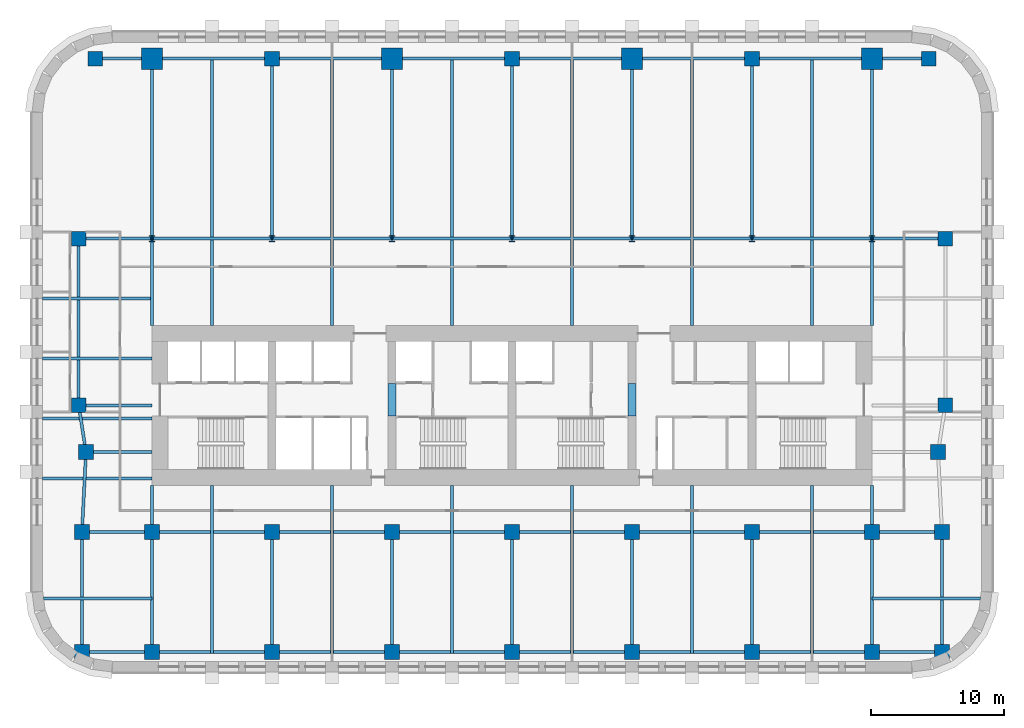
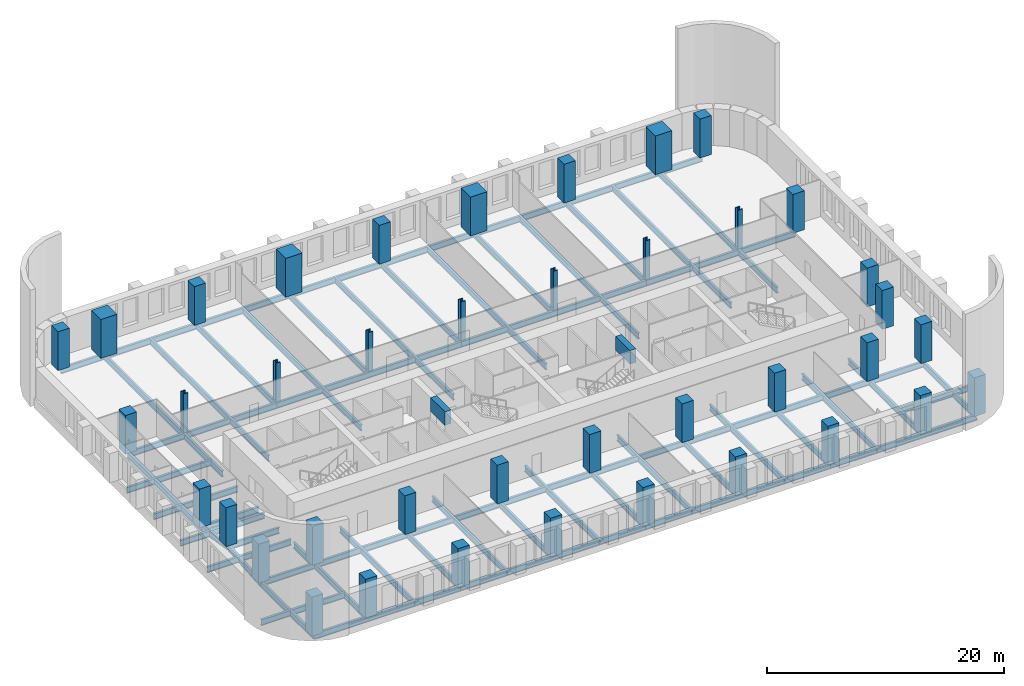
# One storey, part 1 of 11: 59 beams, 40 columns.
"""IFC4 building model written with IfcOpenShell, lengths in metres."""

import ifcopenshell
import ifcopenshell.guid

model = None  # the IFC model being written
_history = None  # IfcOwnerHistory: only IFC2X3 demands one
_inside = {}  # id of a spatial element -> (the spatial element, [elements in it])
_under = {}  # id of a project, library or spatial element -> (it, [spatial elements below it])
_declared = {}  # id of a project -> (the project, [libraries it declares])
_typed = {}  # id of a type object -> (the type object, [elements of that type])
_made_of = {}  # id of a material, layer set ... -> (it, [elements and type objects made of it])


def new_model(schema):
    """Start an empty IFC model of exactly this schema.

    Asked for "IFC4X3", IfcOpenShell would pick the latest addendum, in which some entities
    have other attributes; the version numbers below select the first issue.
    IFC2X3 requires an IfcOwnerHistory on every rooted entity: one is made here for all.
    """
    global model, _history
    if schema == "IFC4X3":
        model = ifcopenshell.file(schema_version=(4, 3, 0, 0))
    else:
        model = ifcopenshell.file(schema=schema)
    _inside.clear()
    _under.clear()
    _declared.clear()
    _typed.clear()
    _made_of.clear()
    _history = None
    if model.schema == "IFC2X3":
        org = make("IfcOrganization", Name="unknown")
        user = make(
            "IfcPersonAndOrganization",
            ThePerson=make("IfcPerson", FamilyName="unknown"),
            TheOrganization=org,
        )
        app = make(
            "IfcApplication",
            ApplicationDeveloper=org,
            Version="unknown",
            ApplicationFullName="unknown",
            ApplicationIdentifier="unknown",
        )
        _history = make(
            "IfcOwnerHistory",
            OwningUser=user,
            OwningApplication=app,
            ChangeAction="ADDED",
            CreationDate=0,
        )
    return model


def make(cls, **values):
    """One entity of the class cls with the attributes given. An attribute that is None is left unset."""
    return model.create_entity(
        cls, **{name: value for name, value in values.items() if value is not None}
    )


def rooted(cls, **values):
    """An entity with a GlobalId (a new one), such as an element, a storey or a relation."""
    return make(cls, GlobalId=ifcopenshell.guid.new(), OwnerHistory=_history, **values)


def si_unit(unit_type, name, prefix=None):
    """IfcSIUnit, for example si_unit("LENGTHUNIT", "METRE", prefix="MILLI")."""
    return make("IfcSIUnit", UnitType=unit_type, Prefix=prefix, Name=name)


def assignment(units):
    """IfcUnitAssignment: the units of a project."""
    return None if units is None else make("IfcUnitAssignment", Units=units)


def point(xyz):
    """IfcCartesianPoint."""
    return None if xyz is None else make("IfcCartesianPoint", Coordinates=xyz)


def direction(xyz):
    """IfcDirection."""
    return None if xyz is None else make("IfcDirection", DirectionRatios=xyz)


def frame(location, z_axis=None, x_axis=None):
    """IfcAxis2Placement3D, a coordinate frame: its origin and axes. An axis left out is left unset."""
    return make(
        "IfcAxis2Placement3D",
        Location=point(location),
        Axis=direction(z_axis),
        RefDirection=direction(x_axis),
    )


def frame_2d(location, x_axis=None):
    """IfcAxis2Placement2D, a coordinate frame in the plane: its origin and x axis."""
    return make(
        "IfcAxis2Placement2D", Location=point(location), RefDirection=direction(x_axis)
    )


def origin():
    """The frame at (0, 0, 0) with its axes left unset."""
    return frame((0.0, 0.0, 0.0))


def origin_2d():
    """The frame at (0, 0) in the plane with its x axis left unset."""
    return frame_2d((0.0, 0.0))


def place(relative_to, where):
    """IfcLocalPlacement: puts the frame where relative to a parent placement (None: the world)."""
    return make(
        "IfcLocalPlacement", PlacementRelTo=relative_to, RelativePlacement=where
    )


def context(
    kind, dimensions, precision=None, world=None, true_north=None, identifier=None
):
    """IfcGeometricRepresentationContext, for example the 3D "Model" context."""
    return make(
        "IfcGeometricRepresentationContext",
        ContextIdentifier=identifier,
        ContextType=kind,
        CoordinateSpaceDimension=dimensions,
        Precision=precision,
        WorldCoordinateSystem=world,
        TrueNorth=true_north,
    )


def subcontext(parent, identifier, kind, view, scale=None):
    """IfcGeometricRepresentationSubContext, for example "Body" below "Model"."""
    return make(
        "IfcGeometricRepresentationSubContext",
        ContextIdentifier=identifier,
        ContextType=kind,
        ParentContext=parent,
        TargetScale=scale,
        TargetView=view,
    )


def project(units=None, contexts=None):
    """IfcProject with its units and contexts."""
    return rooted(
        "IfcProject",
        Name="project",
        RepresentationContexts=contexts,
        UnitsInContext=assignment(units),
    )


def spatial(cls, under=None, at=None, **own):
    """A site, building, storey or space (cls), placed at a placement, below another one or the project."""
    s = rooted(cls, ObjectPlacement=at, **own)
    if under is not None:
        _under.setdefault(under.id(), (under, []))[1].append(s)
    return s


def profile(cls, at=None, kind="AREA", **sizes):
    """A parametric profile (cls). Its sizes go by their IFC names, for example OverallWidth=200.0."""
    return make(cls, ProfileType=kind, Position=at, **sizes)


def rectangle(**sizes):
    """IfcRectangleProfileDef."""
    return profile("IfcRectangleProfileDef", **sizes)


def i_section(**sizes):
    """IfcIShapeProfileDef."""
    return profile("IfcIShapeProfileDef", **sizes)


def extrude(swept, where, along, depth):
    """IfcExtrudedAreaSolid: the profile swept, set in the frame where, extruded along a direction by depth."""
    return make(
        "IfcExtrudedAreaSolid",
        SweptArea=swept,
        Position=where,
        ExtrudedDirection=direction(along),
        Depth=depth,
    )


def shape(context_of_items, identifier, shape_type, items):
    """IfcShapeRepresentation: the items that make up one representation, for example the "Body"."""
    return make(
        "IfcShapeRepresentation",
        ContextOfItems=context_of_items,
        RepresentationIdentifier=identifier,
        RepresentationType=shape_type,
        Items=items,
    )


def material(Name=None, Category=None):
    """IfcMaterial."""
    return make("IfcMaterial", Name=Name, Category=Category)


def material_profile(
    of_material, cross_section, Name=None, Category=None, Priority=None
):
    """IfcMaterialProfile: a cross section and its material."""
    return make(
        "IfcMaterialProfile",
        Name=Name,
        Material=of_material,
        Profile=cross_section,
        Priority=Priority,
        Category=Category,
    )


def profile_set(profiles, Name=None, composite=None):
    """IfcMaterialProfileSet."""
    return make(
        "IfcMaterialProfileSet",
        Name=Name,
        MaterialProfiles=profiles,
        CompositeProfile=composite,
    )


def made_of(thing, what):
    """Note that an element or type object is made of a material, layer set ...; save() writes the relation."""
    if what is not None:
        _made_of.setdefault(what.id(), (what, []))[1].append(thing)
    return thing


def type_object(cls, material=None, **own):
    """A type object (cls), such as IfcWallType, which elements share."""
    return made_of(rooted(cls, **own), material)


def element(
    cls,
    number,
    at=None,
    inside=None,
    cuts=None,
    type_object=None,
    material=None,
    context=None,
    identifier="Body",
    shape_type=None,
    held_by="IfcProductDefinitionShape",
    body=None,
    shapes=None,
    **own,
):
    """One element of the class cls, such as IfcWall. Its Tag is "e" and its number.

    at: its placement. inside: the storey or other place that contains it. cuts: it is an
    opening in that element (IfcRelVoidsElement). A single representation is given by context,
    identifier, shape_type and body (its items); several are given by shapes. held_by: the class
    of the entity that holds the representations. save() writes the other relations.
    """
    e = rooted(cls, Tag="e%d" % number, ObjectPlacement=at, **own)
    if body is not None:
        shapes = [shape(context, identifier, shape_type, body)]
    if shapes is not None:
        e.Representation = make(held_by, Representations=shapes)
    if inside is not None:
        _inside.setdefault(inside.id(), (inside, []))[1].append(e)
    if cuts is not None:
        rooted(
            "IfcRelVoidsElement", RelatingBuildingElement=cuts, RelatedOpeningElement=e
        )
    if type_object is not None:
        _typed.setdefault(type_object.id(), (type_object, []))[1].append(e)
    return made_of(e, material)


def aggregate(whole, parts):
    """IfcRelAggregates: a whole, such as a stair, and the parts it consists of."""
    return rooted("IfcRelAggregates", RelatingObject=whole, RelatedObjects=parts)


def save(model, path):
    """Write the relations noted so far, then the file.

    IfcRelAggregates (storeys below a building ...), IfcRelContainedInSpatialStructure (elements
    in a storey), IfcRelDefinesByType, IfcRelAssociatesMaterial and IfcRelDeclares: one each for
    every whole, place, type object, material and project.
    """
    for whole, parts in _under.values():
        aggregate(whole, parts)
    for where, things in _inside.values():
        rooted(
            "IfcRelContainedInSpatialStructure",
            RelatedElements=things,
            RelatingStructure=where,
        )
    for kind, things in _typed.values():
        rooted("IfcRelDefinesByType", RelatedObjects=things, RelatingType=kind)
    for what, things in _made_of.values():
        rooted("IfcRelAssociatesMaterial", RelatedObjects=things, RelatingMaterial=what)
    for by, libraries in _declared.values():
        rooted("IfcRelDeclares", RelatingContext=by, RelatedDefinitions=libraries)
    model.write(path)


model = new_model("IFC4")

# Units and contexts
model_context = context("Model", 3, precision=1e-05, world=origin(), true_north=direction((0.0, 1.0)))
body_context = subcontext(model_context, "Body", "Model", "MODEL_VIEW")
ifc_project = project(units=[si_unit("LENGTHUNIT", "METRE"), si_unit("AREAUNIT", "SQUARE_METRE"), si_unit("VOLUMEUNIT", "CUBIC_METRE"), si_unit("PLANEANGLEUNIT", "RADIAN"), si_unit("MASSUNIT", "GRAM", prefix="KILO")], contexts=[model_context])

# Site, building, storey
site_placement = place(None, origin())
site = spatial("IfcSite", under=ifc_project, at=site_placement, CompositionType="ELEMENT")
building_placement = place(site_placement, origin())
building = spatial("IfcBuilding", under=site, at=building_placement, Name="Zellij Exchange Tower", CompositionType="ELEMENT")
storey_placement = place(building_placement, frame((0.0, 0.0, 64.5)))
storey = spatial("IfcBuildingStorey", under=building, at=storey_placement, Name="L12", CompositionType="ELEMENT", Elevation=64.5)

# Columns
ifc_material_1 = material(Name="Concrete C70/85", Category="concrete")
ifc_material_profile_1 = material_profile(ifc_material_1, rectangle(XDim=1.10009765625, YDim=1.10009765625, at=origin_2d()), Name="STR-COLUMN RC1100x1100 C70/85")
ifc_profile_set_1 = profile_set([ifc_material_profile_1], Name="Concrete C70/85")
column_type_1 = type_object("IfcColumnType", Name="STR-COLUMN RC1100x1100 C70/85", PredefinedType="COLUMN", material=ifc_profile_set_1)
for number, where, z_axis, x_axis, name in (
    (1, (-32.25, -26.5, 0.0), (0.0, 0.0, 1.0), (1.0, 0.0, 0.0), "C11"),
    (2, (-27.0, -26.5, 0.0), (0.0, 0.0, 1.0), (1.0, 0.0, 0.0), "C11"),
    (3, (-18.0, -26.5, 0.0), (0.0, 0.0, 1.0), (1.0, 0.0, 0.0), "C11"),
    (4, (-9.0, -26.5, 0.0), (0.0, 0.0, 1.0), (1.0, 0.0, 0.0), "C11"),
    (5, (0.0, -26.5, 0.0), (0.0, 0.0, 1.0), (1.0, 0.0, 0.0), "C11"),
    (6, (9.0, -26.5, 0.0), (0.0, 0.0, 1.0), (1.0, 0.0, 0.0), "C11"),
    (7, (18.0, -26.5, 0.0), (0.0, 0.0, 1.0), (1.0, 0.0, 0.0), "C11"),
    (8, (27.0, -26.5, 0.0), (0.0, 0.0, 1.0), (1.0, 0.0, 0.0), "C11"),
    (9, (32.25, -26.5, 0.0), (0.0, 0.0, 1.0), (1.0, 0.0, 0.0), "C11"),
    (10, (-32.25, -17.5, 0.0), (0.0, 0.0, 1.0), (1.0, 0.0, 0.0), "C11"),
    (11, (-27.0, -17.5, 0.0), (0.0, 0.0, 1.0), (1.0, 0.0, 0.0), "C11"),
    (12, (-18.0, -17.5, 0.0), (0.0, 0.0, 1.0), (1.0, 0.0, 0.0), "C11"),
    (13, (-9.0, -17.5, 0.0), (0.0, 0.0, 1.0), (1.0, 0.0, 0.0), "C11"),
    (14, (0.0, -17.5, 0.0), (0.0, 0.0, 1.0), (1.0, 0.0, 0.0), "C11"),
    (15, (9.0, -17.5, 0.0), (0.0, 0.0, 1.0), (1.0, 0.0, 0.0), "C11"),
    (16, (18.0, -17.5, 0.0), (0.0, 0.0, 1.0), (1.0, 0.0, 0.0), "C11"),
    (17, (27.0, -17.5, 0.0), (0.0, 0.0, 1.0), (1.0, 0.0, 0.0), "C11"),
    (18, (32.25, -17.5, 0.0), (0.0, 0.0, 1.0), (1.0, 0.0, 0.0), "C11"),
    (19, (-31.949951171875, -11.5, 0.0), (0.0, 0.0, 1.0), (1.0, 0.0, 0.0), "C11"),
    (20, (31.949951171875, -11.5, 0.0), (0.0, 0.0, 1.0), (1.0, 0.0, 0.0), "C11"),
    (21, (-32.5, -8.0, 0.0), (0.0, 0.0, 1.0), (1.0, 0.0, 0.0), "C11"),
    (22, (32.5, -8.0, 0.0), (0.0, 0.0, 1.0), (1.0, 0.0, 0.0), "C11"),
    (23, (-32.5, 4.5, 0.0), (0.0, 0.0, 1.0), (1.0, 0.0, 0.0), "C11"),
    (24, (32.5, 4.5, 0.0), (0.0, 0.0, 1.0), (1.0, 0.0, 0.0), "C11"),
    (25, (-31.25, 18.0, 0.0), (0.0, 0.0, 1.0), (1.0, 0.0, 0.0), "C11"),
    (26, (-18.0, 18.0, 0.0), (0.0, 0.0, 1.0), (1.0, 0.0, 0.0), "C11"),
    (27, (0.0, 18.0, 0.0), (0.0, 0.0, 1.0), (1.0, 0.0, 0.0), "C11"),
    (28, (18.0, 18.0, 0.0), (0.0, 0.0, 1.0), (1.0, 0.0, 0.0), "C11"),
    (29, (31.25, 18.0, 0.0), (0.0, 0.0, 1.0), (1.0, 0.0, 0.0), "C11"),
):
    element("IfcColumn", number, at=place(storey_placement, frame(where, z_axis=z_axis, x_axis=x_axis)), inside=storey, type_object=column_type_1, Name=name, PredefinedType="COLUMN", context=body_context, shape_type="SweptSolid", body=[
        extrude(rectangle(XDim=1.10009765625, YDim=1.10009765625, at=origin_2d()), origin(), (0.0, 0.0, 1.0), 4.0),
    ])
ifc_material_2 = material(Name="Structural steel ASTM A913 Gr 65", Category="steel")
ifc_material_profile_2 = material_profile(ifc_material_2, i_section(OverallWidth=0.431884765625, OverallDepth=0.497802734375, WebThickness=0.0556640625, FlangeThickness=0.0888671875, at=origin_2d()), Name="W14x500")
ifc_profile_set_2 = profile_set([ifc_material_profile_2], Name="Structural steel ASTM A913 Gr 65")
column_type_2 = type_object("IfcColumnType", Name="STR-COLUMN W14x500", PredefinedType="COLUMN", material=ifc_profile_set_2)
for number, where, z_axis, x_axis, name in (
    (30, (-27.0, 4.5, 0.0), (0.0, 0.0, 1.0), (1.0, 0.0, 0.0), "C5"),
    (31, (-18.0, 4.5, 0.0), (0.0, 0.0, 1.0), (1.0, 0.0, 0.0), "C5"),
    (32, (-9.0, 4.5, 0.0), (0.0, 0.0, 1.0), (1.0, 0.0, 0.0), "C5"),
    (33, (0.0, 4.5, 0.0), (0.0, 0.0, 1.0), (1.0, 0.0, 0.0), "C5"),
    (34, (9.0, 4.5, 0.0), (0.0, 0.0, 1.0), (1.0, 0.0, 0.0), "C5"),
    (35, (18.0, 4.5, 0.0), (0.0, 0.0, 1.0), (1.0, 0.0, 0.0), "C5"),
    (36, (27.0, 4.5, 0.0), (0.0, 0.0, 1.0), (1.0, 0.0, 0.0), "C5"),
):
    element("IfcColumn", number, at=place(storey_placement, frame(where, z_axis=z_axis, x_axis=x_axis)), inside=storey, type_object=column_type_2, Name=name, PredefinedType="COLUMN", context=body_context, shape_type="SweptSolid", body=[
        extrude(i_section(OverallWidth=0.431884765625, OverallDepth=0.497802734375, WebThickness=0.0556640625, FlangeThickness=0.0888671875, at=origin_2d()), origin(), (0.0, 0.0, 1.0), 4.0),
    ])
ifc_material_profile_3 = material_profile(ifc_material_1, rectangle(XDim=1.60009765625, YDim=1.60009765625, at=origin_2d()), Name="STR-MEGA COLUMN RC1600x1600 C70/85")
ifc_profile_set_3 = profile_set([ifc_material_profile_3], Name="Concrete C70/85")
column_type_3 = type_object("IfcColumnType", Name="STR-MEGA COLUMN RC1600x1600 C70/85", PredefinedType="COLUMN", material=ifc_profile_set_3)
for number, where, z_axis, x_axis, name in (
    (37, (-27.0, 18.0, 0.0), (0.0, 0.0, 1.0), (1.0, 0.0, 0.0), "MC6"),
    (38, (-9.0, 18.0, 0.0), (0.0, 0.0, 1.0), (1.0, 0.0, 0.0), "MC6"),
    (39, (9.0, 18.0, 0.0), (0.0, 0.0, 1.0), (1.0, 0.0, 0.0), "MC6"),
    (40, (27.0, 18.0, 0.0), (0.0, 0.0, 1.0), (1.0, 0.0, 0.0), "MC6"),
):
    element("IfcColumn", number, at=place(storey_placement, frame(where, z_axis=z_axis, x_axis=x_axis)), inside=storey, type_object=column_type_3, Name=name, PredefinedType="COLUMN", context=body_context, shape_type="SweptSolid", body=[
        extrude(rectangle(XDim=1.60009765625, YDim=1.60009765625, at=origin_2d()), origin(), (0.0, 0.0, 1.0), 4.0),
    ])

# Beams
ifc_material_profile_4 = material_profile(ifc_material_1, rectangle(XDim=0.60009765625, YDim=1.39990234375, at=origin_2d()), Name="CORE-CB 600x1400 C70/85")
ifc_profile_set_4 = profile_set([ifc_material_profile_4], Name="Concrete C70/85")
beam_type_1 = type_object("IfcBeamType", Name="CORE-CB 600x1400 C70/85", PredefinedType="BEAM", material=ifc_profile_set_4)
for number, where, z_axis, x_axis, name in (
    (41, (-9.0, -8.800048828125, 3.10009765625), (0.0, 1.0, 0.0), (-1.0, 0.0, 0.0), "Core coupling beam x -9 L12"),
    (42, (9.0, -8.800048828125, 3.10009765625), (0.0, 1.0, 0.0), (-1.0, 0.0, 0.0), "Core coupling beam x 9 L12"),
):
    element("IfcBeam", number, at=place(storey_placement, frame(where, z_axis=z_axis, x_axis=x_axis)), inside=storey, type_object=beam_type_1, Name=name, PredefinedType="BEAM", context=body_context, shape_type="SweptSolid", body=[
        extrude(rectangle(XDim=0.60009765625, YDim=1.39990234375, at=origin_2d()), origin(), (0.0, 0.0, 1.0), 2.425048828125),
    ])
ifc_material_3 = material(Name="Structural steel ASTM A992 Gr 50", Category="steel")
ifc_material_profile_5 = material_profile(ifc_material_3, i_section(OverallWidth=0.227783203125, OverallDepth=0.60205078125, WebThickness=0.010498046875, FlangeThickness=0.014892578125, at=origin_2d()), Name="W24x68")
ifc_profile_set_5 = profile_set([ifc_material_profile_5], Name="Structural steel ASTM A992 Gr 50")
beam_type_2 = type_object("IfcBeamType", Name="STR-BEAM W24x68", PredefinedType="BEAM", material=ifc_profile_set_5)
beam_1_placement = place(storey_placement, frame((-22.5, -26.614501953125, -0.5009765625), z_axis=(0.0, 1.0, 0.0), x_axis=(-1.0, 0.0, 0.0)))
element("IfcBeam", 43, at=beam_1_placement, inside=storey, type_object=beam_type_2, Name="B5", PredefinedType="BEAM", context=body_context, shape_type="SweptSolid", body=[
    extrude(i_section(OverallWidth=0.227783203125, OverallDepth=0.60205078125, WebThickness=0.010498046875, FlangeThickness=0.014892578125, at=origin_2d()), origin(), (0.0, 0.0, 1.0), 12.614501953125),
])
beam_2_placement = place(storey_placement, frame((-22.5, -2.0, -0.5009765625), z_axis=(0.0, 1.0, 0.0), x_axis=(-1.0, 0.0, 0.0)))
element("IfcBeam", 44, at=beam_2_placement, inside=storey, type_object=beam_type_2, Name="B5", PredefinedType="BEAM", context=body_context, shape_type="SweptSolid", body=[
    extrude(i_section(OverallWidth=0.227783203125, OverallDepth=0.60205078125, WebThickness=0.010498046875, FlangeThickness=0.014892578125, at=origin_2d()), origin(), (0.0, 0.0, 1.0), 20.114501953125),
])
beam_3_placement = place(storey_placement, frame((-13.5, -26.614501953125, -0.5009765625), z_axis=(0.0, 1.0, 0.0), x_axis=(-1.0, 0.0, 0.0)))
element("IfcBeam", 45, at=beam_3_placement, inside=storey, type_object=beam_type_2, Name="B5", PredefinedType="BEAM", context=body_context, shape_type="SweptSolid", body=[
    extrude(i_section(OverallWidth=0.227783203125, OverallDepth=0.60205078125, WebThickness=0.010498046875, FlangeThickness=0.014892578125, at=origin_2d()), origin(), (0.0, 0.0, 1.0), 12.614501953125),
])
beam_4_placement = place(storey_placement, frame((-13.5, -2.0, -0.5009765625), z_axis=(0.0, 1.0, 0.0), x_axis=(-1.0, 0.0, 0.0)))
element("IfcBeam", 46, at=beam_4_placement, inside=storey, type_object=beam_type_2, Name="B5", PredefinedType="BEAM", context=body_context, shape_type="SweptSolid", body=[
    extrude(i_section(OverallWidth=0.227783203125, OverallDepth=0.60205078125, WebThickness=0.010498046875, FlangeThickness=0.014892578125, at=origin_2d()), origin(), (0.0, 0.0, 1.0), 20.114501953125),
])
beam_5_placement = place(storey_placement, frame((-4.5, -26.614501953125, -0.5009765625), z_axis=(0.0, 1.0, 0.0), x_axis=(-1.0, 0.0, 0.0)))
element("IfcBeam", 47, at=beam_5_placement, inside=storey, type_object=beam_type_2, Name="B5", PredefinedType="BEAM", context=body_context, shape_type="SweptSolid", body=[
    extrude(i_section(OverallWidth=0.227783203125, OverallDepth=0.60205078125, WebThickness=0.010498046875, FlangeThickness=0.014892578125, at=origin_2d()), origin(), (0.0, 0.0, 1.0), 12.614501953125),
])
beam_6_placement = place(storey_placement, frame((-4.5, -2.0, -0.5009765625), z_axis=(0.0, 1.0, 0.0), x_axis=(-1.0, 0.0, 0.0)))
element("IfcBeam", 48, at=beam_6_placement, inside=storey, type_object=beam_type_2, Name="B5", PredefinedType="BEAM", context=body_context, shape_type="SweptSolid", body=[
    extrude(i_section(OverallWidth=0.227783203125, OverallDepth=0.60205078125, WebThickness=0.010498046875, FlangeThickness=0.014892578125, at=origin_2d()), origin(), (0.0, 0.0, 1.0), 20.114501953125),
])
beam_7_placement = place(storey_placement, frame((4.5, -26.614501953125, -0.5009765625), z_axis=(0.0, 1.0, 0.0), x_axis=(-1.0, 0.0, 0.0)))
element("IfcBeam", 49, at=beam_7_placement, inside=storey, type_object=beam_type_2, Name="B5", PredefinedType="BEAM", context=body_context, shape_type="SweptSolid", body=[
    extrude(i_section(OverallWidth=0.227783203125, OverallDepth=0.60205078125, WebThickness=0.010498046875, FlangeThickness=0.014892578125, at=origin_2d()), origin(), (0.0, 0.0, 1.0), 12.614501953125),
])
beam_8_placement = place(storey_placement, frame((4.5, -2.0, -0.5009765625), z_axis=(0.0, 1.0, 0.0), x_axis=(-1.0, 0.0, 0.0)))
element("IfcBeam", 50, at=beam_8_placement, inside=storey, type_object=beam_type_2, Name="B5", PredefinedType="BEAM", context=body_context, shape_type="SweptSolid", body=[
    extrude(i_section(OverallWidth=0.227783203125, OverallDepth=0.60205078125, WebThickness=0.010498046875, FlangeThickness=0.014892578125, at=origin_2d()), origin(), (0.0, 0.0, 1.0), 20.114501953125),
])
beam_9_placement = place(storey_placement, frame((13.5, -26.614501953125, -0.5009765625), z_axis=(0.0, 1.0, 0.0), x_axis=(-1.0, 0.0, 0.0)))
element("IfcBeam", 51, at=beam_9_placement, inside=storey, type_object=beam_type_2, Name="B5", PredefinedType="BEAM", context=body_context, shape_type="SweptSolid", body=[
    extrude(i_section(OverallWidth=0.227783203125, OverallDepth=0.60205078125, WebThickness=0.010498046875, FlangeThickness=0.014892578125, at=origin_2d()), origin(), (0.0, 0.0, 1.0), 12.614501953125),
])
beam_10_placement = place(storey_placement, frame((13.5, -2.0, -0.5009765625), z_axis=(0.0, 1.0, 0.0), x_axis=(-1.0, 0.0, 0.0)))
element("IfcBeam", 52, at=beam_10_placement, inside=storey, type_object=beam_type_2, Name="B5", PredefinedType="BEAM", context=body_context, shape_type="SweptSolid", body=[
    extrude(i_section(OverallWidth=0.227783203125, OverallDepth=0.60205078125, WebThickness=0.010498046875, FlangeThickness=0.014892578125, at=origin_2d()), origin(), (0.0, 0.0, 1.0), 20.114501953125),
])
beam_11_placement = place(storey_placement, frame((22.5, -26.614501953125, -0.5009765625), z_axis=(0.0, 1.0, 0.0), x_axis=(-1.0, 0.0, 0.0)))
element("IfcBeam", 53, at=beam_11_placement, inside=storey, type_object=beam_type_2, Name="B5", PredefinedType="BEAM", context=body_context, shape_type="SweptSolid", body=[
    extrude(i_section(OverallWidth=0.227783203125, OverallDepth=0.60205078125, WebThickness=0.010498046875, FlangeThickness=0.014892578125, at=origin_2d()), origin(), (0.0, 0.0, 1.0), 12.614501953125),
])
beam_12_placement = place(storey_placement, frame((22.5, -2.0, -0.5009765625), z_axis=(0.0, 1.0, 0.0), x_axis=(-1.0, 0.0, 0.0)))
element("IfcBeam", 54, at=beam_12_placement, inside=storey, type_object=beam_type_2, Name="B5", PredefinedType="BEAM", context=body_context, shape_type="SweptSolid", body=[
    extrude(i_section(OverallWidth=0.227783203125, OverallDepth=0.60205078125, WebThickness=0.010498046875, FlangeThickness=0.014892578125, at=origin_2d()), origin(), (0.0, 0.0, 1.0), 20.114501953125),
])
beam_13_placement = place(storey_placement, frame((-35.126953125, -22.5, -0.5009765625), z_axis=(1.0, 0.0, 0.0), x_axis=(0.0, 1.0, 0.0)))
element("IfcBeam", 55, at=beam_13_placement, inside=storey, type_object=beam_type_2, Name="B5", PredefinedType="BEAM", context=body_context, shape_type="SweptSolid", body=[
    extrude(i_section(OverallWidth=0.227783203125, OverallDepth=0.60205078125, WebThickness=0.010498046875, FlangeThickness=0.014892578125, at=origin_2d()), origin(), (0.0, 0.0, 1.0), 8.126953125),
])
for number, where, z_axis, x_axis, name in (
    (56, (-35.199951171875, -13.5, -0.5009765625), (1.0, 0.0, 0.0), (0.0, 1.0, 0.0), "B5"),
    (57, (-35.199951171875, -9.0, -0.5009765625), (1.0, 0.0, 0.0), (0.0, 1.0, 0.0), "B5"),
    (58, (-35.199951171875, -4.5, -0.5009765625), (1.0, 0.0, 0.0), (0.0, 1.0, 0.0), "B5"),
    (59, (-35.199951171875, 0.0, -0.5009765625), (1.0, 0.0, 0.0), (0.0, 1.0, 0.0), "B5"),
):
    element("IfcBeam", number, at=place(storey_placement, frame(where, z_axis=z_axis, x_axis=x_axis)), inside=storey, type_object=beam_type_2, Name=name, PredefinedType="BEAM", context=body_context, shape_type="SweptSolid", body=[
        extrude(i_section(OverallWidth=0.227783203125, OverallDepth=0.60205078125, WebThickness=0.010498046875, FlangeThickness=0.014892578125, at=origin_2d()), origin(), (0.0, 0.0, 1.0), 8.199951171875),
    ])
beam_14_placement = place(storey_placement, frame((27.0, -22.5, -0.5009765625), z_axis=(1.0, 0.0, 0.0), x_axis=(0.0, 1.0, 0.0)))
element("IfcBeam", 60, at=beam_14_placement, inside=storey, type_object=beam_type_2, Name="B5", PredefinedType="BEAM", context=body_context, shape_type="SweptSolid", body=[
    extrude(i_section(OverallWidth=0.227783203125, OverallDepth=0.60205078125, WebThickness=0.010498046875, FlangeThickness=0.014892578125, at=origin_2d()), origin(), (0.0, 0.0, 1.0), 8.126953125),
])
ifc_material_profile_6 = material_profile(ifc_material_3, i_section(OverallWidth=0.22900390625, OverallDepth=0.612060546875, WebThickness=0.011962890625, FlangeThickness=0.01953125, at=origin_2d()), Name="W24x84")
ifc_profile_set_6 = profile_set([ifc_material_profile_6], Name="Structural steel ASTM A992 Gr 50")
beam_type_3 = type_object("IfcBeamType", Name="STR-EDGE GIRDER W24x84", PredefinedType="BEAM", material=ifc_profile_set_6)
beam_15_placement = place(storey_placement, frame((-32.25, -26.5, -0.506103515625), z_axis=(0.0, 1.0, 0.0), x_axis=(-1.0, 0.0, 0.0)))
element("IfcBeam", 61, at=beam_15_placement, inside=storey, type_object=beam_type_3, Name="EB6", PredefinedType="BEAM", context=body_context, shape_type="SweptSolid", body=[
    extrude(i_section(OverallWidth=0.22900390625, OverallDepth=0.612060546875, WebThickness=0.011962890625, FlangeThickness=0.01953125, at=origin_2d()), origin(), (0.0, 0.0, 1.0), 9.0),
])
beam_16_placement = place(storey_placement, frame((-32.25, -17.5, -0.506103515625), z_axis=(0.049945724537, 0.998751933465, 0.0), x_axis=(-0.998751933465, 0.049945724537, 0.0)))
element("IfcBeam", 62, at=beam_16_placement, inside=storey, type_object=beam_type_3, Name="EB6", PredefinedType="BEAM", context=body_context, shape_type="SweptSolid", body=[
    extrude(i_section(OverallWidth=0.22900390625, OverallDepth=0.612060546875, WebThickness=0.011962890625, FlangeThickness=0.01953125, at=origin_2d()), origin(), (0.0, 0.0, 1.0), 6.007568359375),
])
beam_17_placement = place(storey_placement, frame((-31.949951171875, -11.5, -0.506103515625), z_axis=(-0.155251283593, 0.987875011802, 0.0), x_axis=(-0.987875011802, -0.155251283593, 0.0)))
element("IfcBeam", 63, at=beam_17_placement, inside=storey, type_object=beam_type_3, Name="EB6", PredefinedType="BEAM", context=body_context, shape_type="SweptSolid", body=[
    extrude(i_section(OverallWidth=0.22900390625, OverallDepth=0.612060546875, WebThickness=0.011962890625, FlangeThickness=0.01953125, at=origin_2d()), origin(), (0.0, 0.0, 1.0), 3.54296875),
])
beam_18_placement = place(storey_placement, frame((-32.5, -8.0, -0.506103515625), z_axis=(0.0, 1.0, 0.0), x_axis=(-1.0, 0.0, 0.0)))
element("IfcBeam", 64, at=beam_18_placement, inside=storey, type_object=beam_type_3, Name="EB6", PredefinedType="BEAM", context=body_context, shape_type="SweptSolid", body=[
    extrude(i_section(OverallWidth=0.22900390625, OverallDepth=0.612060546875, WebThickness=0.011962890625, FlangeThickness=0.01953125, at=origin_2d()), origin(), (0.0, 0.0, 1.0), 12.5),
])
beam_19_placement = place(storey_placement, frame((32.25, -26.5, -0.506103515625), z_axis=(0.0, 1.0, 0.0), x_axis=(-1.0, 0.0, 0.0)))
element("IfcBeam", 65, at=beam_19_placement, inside=storey, type_object=beam_type_3, Name="EB6", PredefinedType="BEAM", context=body_context, shape_type="SweptSolid", body=[
    extrude(i_section(OverallWidth=0.22900390625, OverallDepth=0.612060546875, WebThickness=0.011962890625, FlangeThickness=0.01953125, at=origin_2d()), origin(), (0.0, 0.0, 1.0), 9.0),
])
ifc_material_profile_7 = material_profile(ifc_material_3, i_section(OverallWidth=0.22900390625, OverallDepth=0.612060546875, WebThickness=0.011962890625, FlangeThickness=0.01953125, at=origin_2d()), Name="W24x84")
ifc_profile_set_7 = profile_set([ifc_material_profile_7], Name="Structural steel ASTM A992 Gr 50")
beam_type_4 = type_object("IfcBeamType", Name="STR-GIRDER W24x84", PredefinedType="BEAM", material=ifc_profile_set_7)
beam_20_placement = place(storey_placement, frame((-32.25, -26.5, -0.506103515625), z_axis=(1.0, 0.0, 0.0), x_axis=(0.0, 1.0, 0.0)))
element("IfcBeam", 66, at=beam_20_placement, inside=storey, type_object=beam_type_4, Name="G4", PredefinedType="BEAM", context=body_context, shape_type="SweptSolid", body=[
    extrude(i_section(OverallWidth=0.22900390625, OverallDepth=0.612060546875, WebThickness=0.011962890625, FlangeThickness=0.01953125, at=origin_2d()), origin(), (0.0, 0.0, 1.0), 14.25),
])
for number, where, z_axis, x_axis, name in (
    (67, (-18.0, -26.5, -0.506103515625), (1.0, 0.0, 0.0), (0.0, 1.0, 0.0), "G4"),
    (68, (0.0, -26.5, -0.506103515625), (1.0, 0.0, 0.0), (0.0, 1.0, 0.0), "G4"),
):
    element("IfcBeam", number, at=place(storey_placement, frame(where, z_axis=z_axis, x_axis=x_axis)), inside=storey, type_object=beam_type_4, Name=name, PredefinedType="BEAM", context=body_context, shape_type="SweptSolid", body=[
        extrude(i_section(OverallWidth=0.22900390625, OverallDepth=0.612060546875, WebThickness=0.011962890625, FlangeThickness=0.01953125, at=origin_2d()), origin(), (0.0, 0.0, 1.0), 18.0),
    ])
for number, where, z_axis, x_axis, name in (
    (69, (18.0, -26.5, -0.506103515625), (1.0, 0.0, 0.0), (0.0, 1.0, 0.0), "G4"),
    (70, (-32.25, -17.5, -0.506103515625), (1.0, 0.0, 0.0), (0.0, 1.0, 0.0), "G4"),
):
    element("IfcBeam", number, at=place(storey_placement, frame(where, z_axis=z_axis, x_axis=x_axis)), inside=storey, type_object=beam_type_4, Name=name, PredefinedType="BEAM", context=body_context, shape_type="SweptSolid", body=[
        extrude(i_section(OverallWidth=0.22900390625, OverallDepth=0.612060546875, WebThickness=0.011962890625, FlangeThickness=0.01953125, at=origin_2d()), origin(), (0.0, 0.0, 1.0), 14.25),
    ])
for number, where, z_axis, x_axis, name in (
    (71, (-18.0, -17.5, -0.506103515625), (1.0, 0.0, 0.0), (0.0, 1.0, 0.0), "G4"),
    (72, (0.0, -17.5, -0.506103515625), (1.0, 0.0, 0.0), (0.0, 1.0, 0.0), "G4"),
):
    element("IfcBeam", number, at=place(storey_placement, frame(where, z_axis=z_axis, x_axis=x_axis)), inside=storey, type_object=beam_type_4, Name=name, PredefinedType="BEAM", context=body_context, shape_type="SweptSolid", body=[
        extrude(i_section(OverallWidth=0.22900390625, OverallDepth=0.612060546875, WebThickness=0.011962890625, FlangeThickness=0.01953125, at=origin_2d()), origin(), (0.0, 0.0, 1.0), 18.0),
    ])
beam_21_placement = place(storey_placement, frame((18.0, -17.5, -0.506103515625), z_axis=(1.0, 0.0, 0.0), x_axis=(0.0, 1.0, 0.0)))
element("IfcBeam", 73, at=beam_21_placement, inside=storey, type_object=beam_type_4, Name="G4", PredefinedType="BEAM", context=body_context, shape_type="SweptSolid", body=[
    extrude(i_section(OverallWidth=0.22900390625, OverallDepth=0.612060546875, WebThickness=0.011962890625, FlangeThickness=0.01953125, at=origin_2d()), origin(), (0.0, 0.0, 1.0), 14.25),
])
beam_22_placement = place(storey_placement, frame((-31.949951171875, -11.5, -0.506103515625), z_axis=(1.0, 0.0, 0.0), x_axis=(0.0, 1.0, 0.0)))
element("IfcBeam", 74, at=beam_22_placement, inside=storey, type_object=beam_type_4, Name="G4", PredefinedType="BEAM", context=body_context, shape_type="SweptSolid", body=[
    extrude(i_section(OverallWidth=0.22900390625, OverallDepth=0.612060546875, WebThickness=0.011962890625, FlangeThickness=0.01953125, at=origin_2d()), origin(), (0.0, 0.0, 1.0), 4.949951171875),
])
beam_23_placement = place(storey_placement, frame((-32.5, -8.0, -0.506103515625), z_axis=(1.0, 0.0, 0.0), x_axis=(0.0, 1.0, 0.0)))
element("IfcBeam", 75, at=beam_23_placement, inside=storey, type_object=beam_type_4, Name="G4", PredefinedType="BEAM", context=body_context, shape_type="SweptSolid", body=[
    extrude(i_section(OverallWidth=0.22900390625, OverallDepth=0.612060546875, WebThickness=0.011962890625, FlangeThickness=0.01953125, at=origin_2d()), origin(), (0.0, 0.0, 1.0), 5.5),
])
beam_24_placement = place(storey_placement, frame((-32.5, 4.5, -0.506103515625), z_axis=(1.0, 0.0, 0.0), x_axis=(0.0, 1.0, 0.0)))
element("IfcBeam", 76, at=beam_24_placement, inside=storey, type_object=beam_type_4, Name="G4", PredefinedType="BEAM", context=body_context, shape_type="SweptSolid", body=[
    extrude(i_section(OverallWidth=0.22900390625, OverallDepth=0.612060546875, WebThickness=0.011962890625, FlangeThickness=0.01953125, at=origin_2d()), origin(), (0.0, 0.0, 1.0), 14.5),
])
for number, where, z_axis, x_axis, name in (
    (77, (-18.0, 4.5, -0.506103515625), (1.0, 0.0, 0.0), (0.0, 1.0, 0.0), "G4"),
    (78, (0.0, 4.5, -0.506103515625), (1.0, 0.0, 0.0), (0.0, 1.0, 0.0), "G4"),
):
    element("IfcBeam", number, at=place(storey_placement, frame(where, z_axis=z_axis, x_axis=x_axis)), inside=storey, type_object=beam_type_4, Name=name, PredefinedType="BEAM", context=body_context, shape_type="SweptSolid", body=[
        extrude(i_section(OverallWidth=0.22900390625, OverallDepth=0.612060546875, WebThickness=0.011962890625, FlangeThickness=0.01953125, at=origin_2d()), origin(), (0.0, 0.0, 1.0), 18.0),
    ])
beam_25_placement = place(storey_placement, frame((18.0, 4.5, -0.506103515625), z_axis=(1.0, 0.0, 0.0), x_axis=(0.0, 1.0, 0.0)))
element("IfcBeam", 79, at=beam_25_placement, inside=storey, type_object=beam_type_4, Name="G4", PredefinedType="BEAM", context=body_context, shape_type="SweptSolid", body=[
    extrude(i_section(OverallWidth=0.22900390625, OverallDepth=0.612060546875, WebThickness=0.011962890625, FlangeThickness=0.01953125, at=origin_2d()), origin(), (0.0, 0.0, 1.0), 14.5),
])
beam_26_placement = place(storey_placement, frame((-31.25, 18.0, -0.506103515625), z_axis=(1.0, 0.0, 0.0), x_axis=(0.0, 1.0, 0.0)))
element("IfcBeam", 80, at=beam_26_placement, inside=storey, type_object=beam_type_4, Name="G4", PredefinedType="BEAM", context=body_context, shape_type="SweptSolid", body=[
    extrude(i_section(OverallWidth=0.22900390625, OverallDepth=0.612060546875, WebThickness=0.011962890625, FlangeThickness=0.01953125, at=origin_2d()), origin(), (0.0, 0.0, 1.0), 13.25),
])
for number, where, z_axis, x_axis, name in (
    (81, (-18.0, 18.0, -0.506103515625), (1.0, 0.0, 0.0), (0.0, 1.0, 0.0), "G4"),
    (82, (0.0, 18.0, -0.506103515625), (1.0, 0.0, 0.0), (0.0, 1.0, 0.0), "G4"),
):
    element("IfcBeam", number, at=place(storey_placement, frame(where, z_axis=z_axis, x_axis=x_axis)), inside=storey, type_object=beam_type_4, Name=name, PredefinedType="BEAM", context=body_context, shape_type="SweptSolid", body=[
        extrude(i_section(OverallWidth=0.22900390625, OverallDepth=0.612060546875, WebThickness=0.011962890625, FlangeThickness=0.01953125, at=origin_2d()), origin(), (0.0, 0.0, 1.0), 18.0),
    ])
beam_27_placement = place(storey_placement, frame((18.0, 18.0, -0.506103515625), z_axis=(1.0, 0.0, 0.0), x_axis=(0.0, 1.0, 0.0)))
element("IfcBeam", 83, at=beam_27_placement, inside=storey, type_object=beam_type_4, Name="G4", PredefinedType="BEAM", context=body_context, shape_type="SweptSolid", body=[
    extrude(i_section(OverallWidth=0.22900390625, OverallDepth=0.612060546875, WebThickness=0.011962890625, FlangeThickness=0.01953125, at=origin_2d()), origin(), (0.0, 0.0, 1.0), 13.25),
])
beam_28_placement = place(storey_placement, frame((-27.0, -26.5, -0.506103515625), z_axis=(0.0, 1.0, 0.0), x_axis=(-1.0, 0.0, 0.0)))
element("IfcBeam", 84, at=beam_28_placement, inside=storey, type_object=beam_type_4, Name="G4", PredefinedType="BEAM", context=body_context, shape_type="SweptSolid", body=[
    extrude(i_section(OverallWidth=0.22900390625, OverallDepth=0.612060546875, WebThickness=0.011962890625, FlangeThickness=0.01953125, at=origin_2d()), origin(), (0.0, 0.0, 1.0), 12.5),
])
beam_29_placement = place(storey_placement, frame((-27.0, -2.0, -0.506103515625), z_axis=(0.0, 1.0, 0.0), x_axis=(-1.0, 0.0, 0.0)))
element("IfcBeam", 85, at=beam_29_placement, inside=storey, type_object=beam_type_4, Name="G4", PredefinedType="BEAM", context=body_context, shape_type="SweptSolid", body=[
    extrude(i_section(OverallWidth=0.22900390625, OverallDepth=0.612060546875, WebThickness=0.011962890625, FlangeThickness=0.01953125, at=origin_2d()), origin(), (0.0, 0.0, 1.0), 6.5),
])
beam_30_placement = place(storey_placement, frame((-27.0, 4.5, -0.506103515625), z_axis=(0.0, 1.0, 0.0), x_axis=(-1.0, 0.0, 0.0)))
element("IfcBeam", 86, at=beam_30_placement, inside=storey, type_object=beam_type_4, Name="G4", PredefinedType="BEAM", context=body_context, shape_type="SweptSolid", body=[
    extrude(i_section(OverallWidth=0.22900390625, OverallDepth=0.612060546875, WebThickness=0.011962890625, FlangeThickness=0.01953125, at=origin_2d()), origin(), (0.0, 0.0, 1.0), 13.5),
])
beam_31_placement = place(storey_placement, frame((-18.0, -26.5, -0.506103515625), z_axis=(0.0, 1.0, 0.0), x_axis=(-1.0, 0.0, 0.0)))
element("IfcBeam", 87, at=beam_31_placement, inside=storey, type_object=beam_type_4, Name="G4", PredefinedType="BEAM", context=body_context, shape_type="SweptSolid", body=[
    extrude(i_section(OverallWidth=0.22900390625, OverallDepth=0.612060546875, WebThickness=0.011962890625, FlangeThickness=0.01953125, at=origin_2d()), origin(), (0.0, 0.0, 1.0), 9.0),
])
beam_32_placement = place(storey_placement, frame((-18.0, 4.5, -0.506103515625), z_axis=(0.0, 1.0, 0.0), x_axis=(-1.0, 0.0, 0.0)))
element("IfcBeam", 88, at=beam_32_placement, inside=storey, type_object=beam_type_4, Name="G4", PredefinedType="BEAM", context=body_context, shape_type="SweptSolid", body=[
    extrude(i_section(OverallWidth=0.22900390625, OverallDepth=0.612060546875, WebThickness=0.011962890625, FlangeThickness=0.01953125, at=origin_2d()), origin(), (0.0, 0.0, 1.0), 13.5),
])
beam_33_placement = place(storey_placement, frame((-9.0, -26.5, -0.506103515625), z_axis=(0.0, 1.0, 0.0), x_axis=(-1.0, 0.0, 0.0)))
element("IfcBeam", 89, at=beam_33_placement, inside=storey, type_object=beam_type_4, Name="G4", PredefinedType="BEAM", context=body_context, shape_type="SweptSolid", body=[
    extrude(i_section(OverallWidth=0.22900390625, OverallDepth=0.612060546875, WebThickness=0.011962890625, FlangeThickness=0.01953125, at=origin_2d()), origin(), (0.0, 0.0, 1.0), 9.0),
])
beam_34_placement = place(storey_placement, frame((-9.0, 4.5, -0.506103515625), z_axis=(0.0, 1.0, 0.0), x_axis=(-1.0, 0.0, 0.0)))
element("IfcBeam", 90, at=beam_34_placement, inside=storey, type_object=beam_type_4, Name="G4", PredefinedType="BEAM", context=body_context, shape_type="SweptSolid", body=[
    extrude(i_section(OverallWidth=0.22900390625, OverallDepth=0.612060546875, WebThickness=0.011962890625, FlangeThickness=0.01953125, at=origin_2d()), origin(), (0.0, 0.0, 1.0), 13.5),
])
beam_35_placement = place(storey_placement, frame((0.0, -26.5, -0.506103515625), z_axis=(0.0, 1.0, 0.0), x_axis=(-1.0, 0.0, 0.0)))
element("IfcBeam", 91, at=beam_35_placement, inside=storey, type_object=beam_type_4, Name="G4", PredefinedType="BEAM", context=body_context, shape_type="SweptSolid", body=[
    extrude(i_section(OverallWidth=0.22900390625, OverallDepth=0.612060546875, WebThickness=0.011962890625, FlangeThickness=0.01953125, at=origin_2d()), origin(), (0.0, 0.0, 1.0), 9.0),
])
beam_36_placement = place(storey_placement, frame((0.0, 4.5, -0.506103515625), z_axis=(0.0, 1.0, 0.0), x_axis=(-1.0, 0.0, 0.0)))
element("IfcBeam", 92, at=beam_36_placement, inside=storey, type_object=beam_type_4, Name="G4", PredefinedType="BEAM", context=body_context, shape_type="SweptSolid", body=[
    extrude(i_section(OverallWidth=0.22900390625, OverallDepth=0.612060546875, WebThickness=0.011962890625, FlangeThickness=0.01953125, at=origin_2d()), origin(), (0.0, 0.0, 1.0), 13.5),
])
beam_37_placement = place(storey_placement, frame((9.0, -26.5, -0.506103515625), z_axis=(0.0, 1.0, 0.0), x_axis=(-1.0, 0.0, 0.0)))
element("IfcBeam", 93, at=beam_37_placement, inside=storey, type_object=beam_type_4, Name="G4", PredefinedType="BEAM", context=body_context, shape_type="SweptSolid", body=[
    extrude(i_section(OverallWidth=0.22900390625, OverallDepth=0.612060546875, WebThickness=0.011962890625, FlangeThickness=0.01953125, at=origin_2d()), origin(), (0.0, 0.0, 1.0), 9.0),
])
beam_38_placement = place(storey_placement, frame((9.0, 4.5, -0.506103515625), z_axis=(0.0, 1.0, 0.0), x_axis=(-1.0, 0.0, 0.0)))
element("IfcBeam", 94, at=beam_38_placement, inside=storey, type_object=beam_type_4, Name="G4", PredefinedType="BEAM", context=body_context, shape_type="SweptSolid", body=[
    extrude(i_section(OverallWidth=0.22900390625, OverallDepth=0.612060546875, WebThickness=0.011962890625, FlangeThickness=0.01953125, at=origin_2d()), origin(), (0.0, 0.0, 1.0), 13.5),
])
beam_39_placement = place(storey_placement, frame((18.0, -26.5, -0.506103515625), z_axis=(0.0, 1.0, 0.0), x_axis=(-1.0, 0.0, 0.0)))
element("IfcBeam", 95, at=beam_39_placement, inside=storey, type_object=beam_type_4, Name="G4", PredefinedType="BEAM", context=body_context, shape_type="SweptSolid", body=[
    extrude(i_section(OverallWidth=0.22900390625, OverallDepth=0.612060546875, WebThickness=0.011962890625, FlangeThickness=0.01953125, at=origin_2d()), origin(), (0.0, 0.0, 1.0), 9.0),
])
beam_40_placement = place(storey_placement, frame((18.0, 4.5, -0.506103515625), z_axis=(0.0, 1.0, 0.0), x_axis=(-1.0, 0.0, 0.0)))
element("IfcBeam", 96, at=beam_40_placement, inside=storey, type_object=beam_type_4, Name="G4", PredefinedType="BEAM", context=body_context, shape_type="SweptSolid", body=[
    extrude(i_section(OverallWidth=0.22900390625, OverallDepth=0.612060546875, WebThickness=0.011962890625, FlangeThickness=0.01953125, at=origin_2d()), origin(), (0.0, 0.0, 1.0), 13.5),
])
beam_41_placement = place(storey_placement, frame((27.0, -26.5, -0.506103515625), z_axis=(0.0, 1.0, 0.0), x_axis=(-1.0, 0.0, 0.0)))
element("IfcBeam", 97, at=beam_41_placement, inside=storey, type_object=beam_type_4, Name="G4", PredefinedType="BEAM", context=body_context, shape_type="SweptSolid", body=[
    extrude(i_section(OverallWidth=0.22900390625, OverallDepth=0.612060546875, WebThickness=0.011962890625, FlangeThickness=0.01953125, at=origin_2d()), origin(), (0.0, 0.0, 1.0), 12.5),
])
beam_42_placement = place(storey_placement, frame((27.0, -2.0, -0.506103515625), z_axis=(0.0, 1.0, 0.0), x_axis=(-1.0, 0.0, 0.0)))
element("IfcBeam", 98, at=beam_42_placement, inside=storey, type_object=beam_type_4, Name="G4", PredefinedType="BEAM", context=body_context, shape_type="SweptSolid", body=[
    extrude(i_section(OverallWidth=0.22900390625, OverallDepth=0.612060546875, WebThickness=0.011962890625, FlangeThickness=0.01953125, at=origin_2d()), origin(), (0.0, 0.0, 1.0), 6.5),
])
beam_43_placement = place(storey_placement, frame((27.0, 4.5, -0.506103515625), z_axis=(0.0, 1.0, 0.0), x_axis=(-1.0, 0.0, 0.0)))
element("IfcBeam", 99, at=beam_43_placement, inside=storey, type_object=beam_type_4, Name="G4", PredefinedType="BEAM", context=body_context, shape_type="SweptSolid", body=[
    extrude(i_section(OverallWidth=0.22900390625, OverallDepth=0.612060546875, WebThickness=0.011962890625, FlangeThickness=0.01953125, at=origin_2d()), origin(), (0.0, 0.0, 1.0), 13.5),
])

save(model, "model.ifc")
